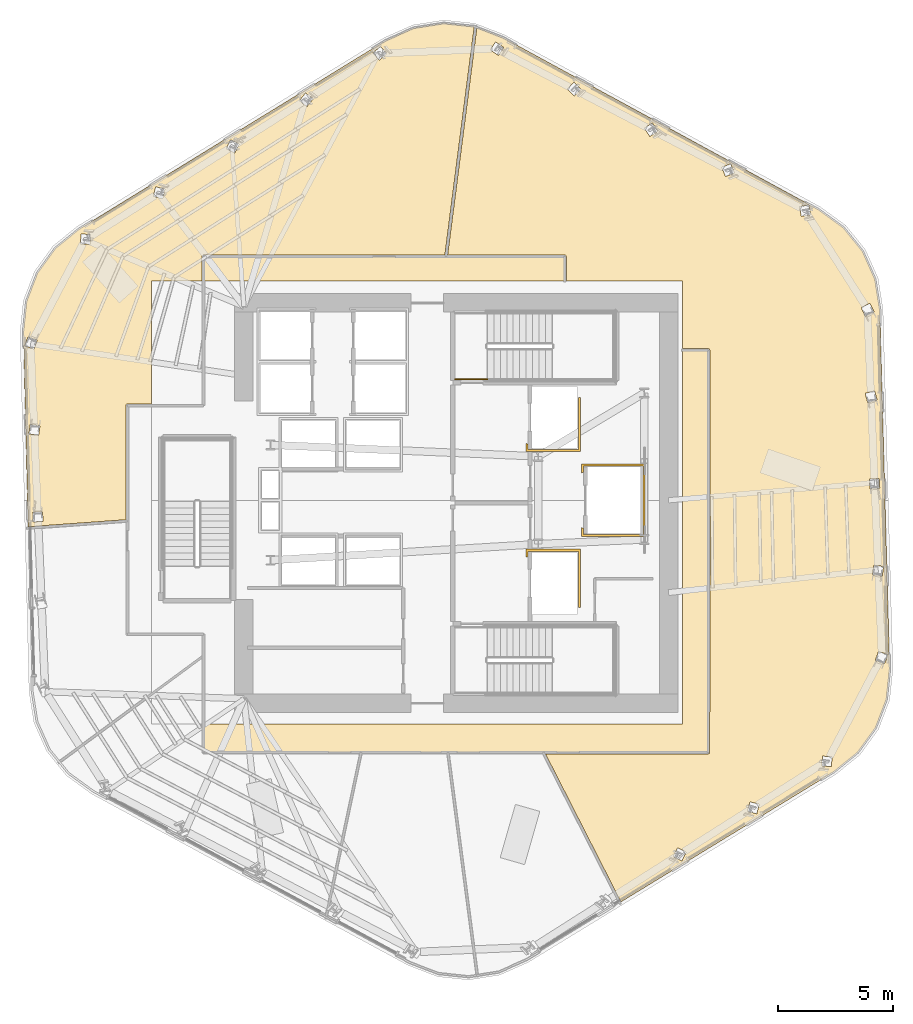
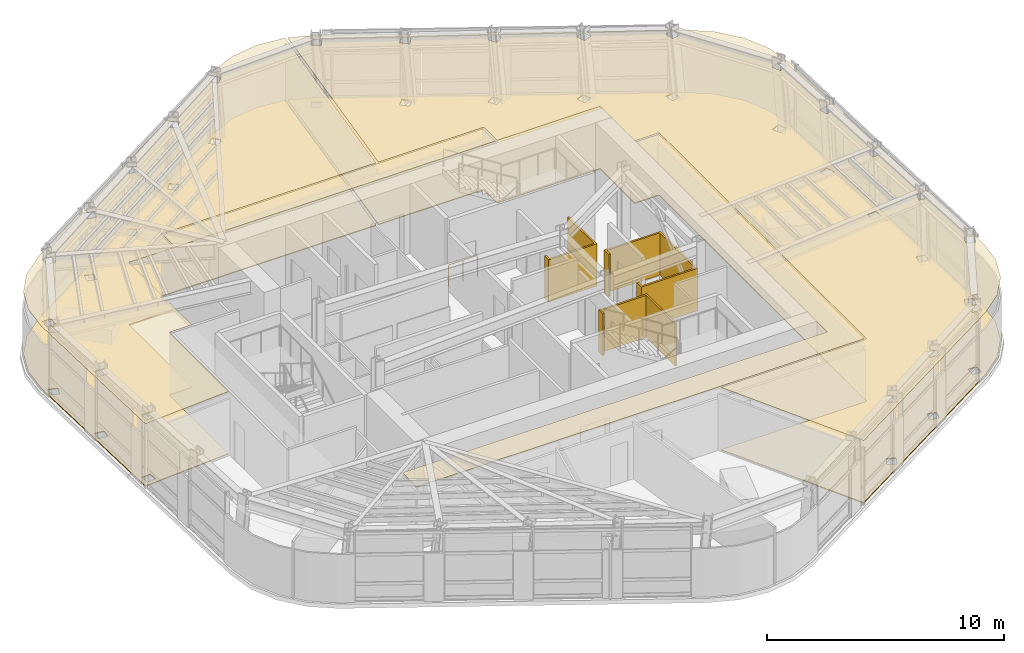
# One storey, part 12 of 15: 9 coverings, 1 railing.
"""IFC4 building model written with IfcOpenShell, lengths in metres."""

from ifc_helpers import new_model, si_unit, direction, frame, origin, origin_2d, place, context, subcontext, project, spatial, polyline, circle, outline, extrude, material, layer, layer_set, type_object, element, save


model = new_model("IFC4")

# Units and contexts
model_context = context("Model", 3, precision=1e-05, world=origin(), true_north=direction((0.0, 1.0)))
body_context = subcontext(model_context, "Body", "Model", "MODEL_VIEW")
ifc_project = project(units=[si_unit("LENGTHUNIT", "METRE"), si_unit("AREAUNIT", "SQUARE_METRE"), si_unit("VOLUMEUNIT", "CUBIC_METRE"), si_unit("PLANEANGLEUNIT", "RADIAN"), si_unit("MASSUNIT", "GRAM", prefix="KILO")], contexts=[model_context])

# Site, building, storey
site_placement = place(None, origin())
site = spatial("IfcSite", under=ifc_project, at=site_placement, CompositionType="ELEMENT")
building_placement = place(site_placement, origin())
building = spatial("IfcBuilding", under=site, at=building_placement, Name="Valkerne Bourse Tower", CompositionType="ELEMENT")
storey_placement = place(building_placement, frame((0.0, 0.0, 159.0)))
storey = spatial("IfcBuildingStorey", under=building, at=storey_placement, Name="L40", CompositionType="ELEMENT", Elevation=159.0)

# Coverings
ifc_material_1 = material(Name="Mineral Fiber Acoustic Ceiling Tile", Category="acoustic")
ifc_layer_1 = layer(ifc_material_1, 0.02490234375)
ifc_layer_set_1 = layer_set([ifc_layer_1], Name="Mineral Fiber Acoustic Ceiling Tile")
covering_type_1 = type_object("IfcCoveringType", Name="COV-CEIL-ACT", PredefinedType="CEILING", material=ifc_layer_set_1)
covering_1_placement = place(storey_placement, frame((0.0, 0.0, 3.22998046875)))
element("IfcCovering", 1, at=covering_1_placement, inside=storey, type_object=covering_type_1, Name="L40 Suspended Ceiling 08", PredefinedType="CEILING", context=body_context, shape_type="SweptSolid", body=[
    extrude(outline(polyline([(28.652099609375, 36.853515625), (29.427734375, 37.9208984375), (30.460693359375, 38.757568359375), (43.741455078125, 46.91943359375), (44.95556640625, 47.460205078125), (46.2587890625, 47.66650390625), (47.57958984375, 47.5244140625), (46.307373046875, 37.62890625), (35.849365234375, 37.62890625), (35.80419921875, 37.61181640625), (35.787353515625, 37.589111328125), (35.781005859375, 37.560302734375), (35.781005859375, 36.5), (33.60009765625, 36.5), (33.60009765625, 31.1689453125), (32.549560546875, 31.1689453125), (32.514892578125, 31.15966796875), (32.490966796875, 31.135986328125), (32.48095703125, 31.1005859375), (32.48095703125, 26.15673828125), (28.25048828125, 25.851806640625), (28.040283203125, 34.299560546875), (28.17919921875, 35.62158203125), (28.652099609375, 36.853515625)]), holes=[polyline([(28.8955078125, 26.08935546875), (28.87060546875, 26.501708984375), (28.447021484375, 26.476318359375), (28.447021484375, 26.4736328125), (28.471923828125, 26.061279296875), (28.895751953125, 26.086669921875), (28.8955078125, 26.08935546875)]), polyline([(28.702392578125, 29.81591796875), (28.76220703125, 30.224609375), (28.341796875, 30.285888671875), (28.34130859375, 30.283203125), (28.281982421875, 29.87451171875), (28.7021484375, 29.81298828125), (28.702392578125, 29.81591796875)]), polyline([(28.641357421875, 33.9443359375), (28.240234375, 34.08349609375), (28.2392578125, 34.080810546875), (28.10400390625, 33.690673828125), (28.505126953125, 33.551513671875), (28.506103515625, 33.55419921875), (28.641357421875, 33.9443359375)]), polyline([(30.9580078125, 38.511962890625), (30.545166015625, 38.541259765625), (30.54345703125, 38.538818359375), (30.5146484375, 38.1162109375), (30.927734375, 38.0869140625), (30.92919921875, 38.08935546875), (30.9580078125, 38.511962890625)]), polyline([(34.179931640625, 40.47998046875), (33.77978515625, 40.58642578125), (33.777587890625, 40.58447265625), (33.669921875, 40.1748046875), (34.0703125, 40.068359375), (34.072021484375, 40.0703125), (34.179931640625, 40.47998046875)]), polyline([(37.205078125, 42.05908203125), (37.39404296875, 42.438232421875), (37.02392578125, 42.623779296875), (37.021728515625, 42.622314453125), (36.832763671875, 42.2431640625), (37.202880859375, 42.0576171875), (37.205078125, 42.05908203125)]), polyline([(40.33447265625, 44.0595703125), (40.5966796875, 44.392333984375), (40.27197265625, 44.6494140625), (40.269287109375, 44.6484375), (40.00732421875, 44.315673828125), (40.33203125, 44.05859375), (40.33447265625, 44.0595703125)]), polyline([(43.787109375, 46.349609375), (43.5166015625, 46.6630859375), (43.513671875, 46.66259765625), (43.19384765625, 46.385009765625), (43.46435546875, 46.071533203125), (43.46728515625, 46.072021484375), (43.787109375, 46.349609375)])]), origin(), (0.0, 0.0, 1.0), 0.02490234375),
])
covering_2_placement = place(storey_placement, frame((0.0, 0.0, 3.22998046875)))
element("IfcCovering", 2, at=covering_2_placement, inside=storey, type_object=covering_type_1, Name="L40 Suspended Ceiling 09", PredefinedType="CEILING", context=body_context, shape_type="SweptSolid", body=[
    extrude(outline(polyline([(64.192626953125, 16.06787109375), (63.159912109375, 15.2314453125), (53.934814453125, 9.5947265625), (50.665283203125, 16.010986328125), (57.720703125, 16.010986328125), (57.7607421875, 16.024169921875), (57.784912109375, 16.056396484375), (57.7880859375, 33.510986328125), (57.76611328125, 33.5517578125), (57.723388671875, 33.56884765625), (56.60009765625, 33.569091796875), (56.60009765625, 36.5), (51.569091796875, 36.5), (51.56884765625, 37.5634765625), (51.551513671875, 37.606201171875), (51.510009765625, 37.62841796875), (46.42626953125, 37.62890625), (47.693115234375, 47.481689453125), (48.81201171875, 47.052490234375), (62.50146484375, 39.596435546875), (63.576904296875, 38.815185546875), (64.4072265625, 37.789794921875), (64.944091796875, 36.584228515625), (65.15185546875, 35.271484375), (65.580078125, 19.68896484375), (65.441162109375, 18.3671875), (64.968505859375, 17.135498046875), (64.192626953125, 16.06787109375)]), holes=[polyline([(51.9013671875, 45.110107421875), (51.898681640625, 45.11083984375), (51.607177734375, 44.816650390625), (51.9072265625, 44.517578125), (51.909912109375, 44.516845703125), (52.201416015625, 44.81103515625), (51.9013671875, 45.110107421875)]), polyline([(48.508056640625, 46.85888671875), (48.505126953125, 46.859130859375), (48.274169921875, 46.515380859375), (48.625, 46.2783203125), (48.627685546875, 46.27783203125), (48.85888671875, 46.62158203125), (48.508056640625, 46.85888671875)]), polyline([(56.578369140625, 11.377685546875), (56.76708984375, 11.7568359375), (56.39697265625, 11.9423828125), (56.394775390625, 11.94091796875), (56.205810546875, 11.561767578125), (56.575927734375, 11.376220703125), (56.578369140625, 11.377685546875)]), polyline([(59.822265625, 13.41552734375), (59.929931640625, 13.8251953125), (59.52978515625, 13.931640625), (59.52783203125, 13.9296875), (59.420166015625, 13.52001953125), (59.8203125, 13.41357421875), (59.822265625, 13.41552734375)]), polyline([(63.085205078125, 15.8837890625), (62.67236328125, 15.9130859375), (62.670654296875, 15.91064453125), (62.641845703125, 15.488037109375), (63.054931640625, 15.458740234375), (63.056396484375, 15.461181640625), (63.085205078125, 15.8837890625)]), polyline([(65.49609375, 20.309326171875), (65.094970703125, 20.448486328125), (65.093994140625, 20.44580078125), (64.95849609375, 20.0556640625), (65.35986328125, 19.91650390625), (65.36083984375, 19.919189453125), (65.49609375, 20.309326171875)]), polyline([(65.318115234375, 24.12548828125), (64.89794921875, 24.18701171875), (64.8974609375, 24.18408203125), (64.837890625, 23.775390625), (65.258056640625, 23.714111328125), (65.258544921875, 23.716796875), (65.318115234375, 24.12548828125)]), polyline([(65.153076171875, 27.523681640625), (65.153076171875, 27.5263671875), (65.128173828125, 27.938720703125), (64.704345703125, 27.913330078125), (64.704345703125, 27.91064453125), (64.729248046875, 27.498291015625), (65.153076171875, 27.523681640625)]), polyline([(65.038818359375, 31.34130859375), (65.0380859375, 31.343994140625), (64.9296875, 31.74267578125), (64.52001953125, 31.631591796875), (64.520751953125, 31.62890625), (64.62890625, 31.230224609375), (65.038818359375, 31.34130859375)]), polyline([(64.912109375, 35.16064453125), (64.910888671875, 35.1630859375), (64.729736328125, 35.534423828125), (64.34814453125, 35.34814453125), (64.349365234375, 35.345458984375), (64.530517578125, 34.974365234375), (64.912109375, 35.16064453125)]), polyline([(62.16162109375, 39.380126953125), (62.082275390625, 39.796142578125), (62.08056640625, 39.79833984375), (61.673828125, 39.719482421875), (61.75341796875, 39.303466796875), (61.755126953125, 39.30126953125), (62.16162109375, 39.380126953125)]), polyline([(58.6953125, 41.577392578125), (58.693115234375, 41.5791015625), (58.30859375, 41.42529296875), (58.46484375, 41.031494140625), (58.466796875, 41.02978515625), (58.851318359375, 41.18359375), (58.6953125, 41.577392578125)]), polyline([(55.532470703125, 42.99609375), (55.29931640625, 43.349853515625), (55.297119140625, 43.35107421875), (54.951904296875, 43.122314453125), (55.184814453125, 42.7685546875), (55.187255859375, 42.767333984375), (55.532470703125, 42.99609375)])]), origin(), (0.0, 0.0, 1.0), 0.02490234375),
])
ifc_material_2 = material(Name="Bronze Anodised Aluminium AA 6063-T6", Category="aluminium")
ifc_layer_2 = layer(ifc_material_2, 0.030029296875)
ifc_layer_set_2 = layer_set([ifc_layer_2], Name="Bronze Anodised Aluminium AA 6063-T6")
covering_type_2 = type_object("IfcCoveringType", Name="COV-CEIL-METAL", PredefinedType="CEILING", material=ifc_layer_set_2)
covering_3_placement = place(storey_placement, frame((0.0, 0.0, 3.22998046875)))
element("IfcCovering", 3, at=covering_3_placement, inside=storey, type_object=covering_type_2, Name="L40 Suspended Ceiling 01", PredefinedType="CEILING", context=body_context, shape_type="SweptSolid", body=[
    extrude(outline(polyline([(35.85400390625, 17.300048828125), (56.60009765625, 17.300048828125), (56.60009765625, 33.49609375), (57.716064453125, 33.49609375), (57.716064453125, 16.083984375), (35.85400390625, 16.083984375), (35.85400390625, 17.300048828125)])), origin(), (0.0, 0.0, 1.0), 0.02490234375),
])
covering_4_placement = place(storey_placement, frame((0.0, 0.0, 3.22998046875)))
element("IfcCovering", 4, at=covering_4_placement, inside=storey, type_object=covering_type_2, Name="L40 Suspended Ceiling 03", PredefinedType="CEILING", context=body_context, shape_type="SweptSolid", body=[
    extrude(outline(polyline([(35.85400390625, 37.555908203125), (51.49609375, 37.555908203125), (51.49609375, 36.5), (35.85400390625, 36.5), (35.85400390625, 37.555908203125)])), origin(), (0.0, 0.0, 1.0), 0.02490234375),
])
ifc_material_3 = material(Name="Galvanised Painted Steel", Category="steel")
ifc_layer_3 = layer(ifc_material_3, 0.044921875)
ifc_layer_set_3 = layer_set([ifc_layer_3], Name="Galvanised Painted Steel")
covering_type_3 = type_object("IfcCoveringType", Name="COV-FLR-RAF", PredefinedType="FLOORING", material=ifc_layer_set_3)
covering_5_placement = place(storey_placement, origin())
element("IfcCovering", 5, at=covering_5_placement, inside=storey, type_object=covering_type_3, Name="L40 Floor Finish 08", PredefinedType="FLOORING", context=body_context, shape_type="SweptSolid", body=[
    extrude(outline(polyline([(28.652099609375, 36.853515625), (29.427734375, 37.9208984375), (30.460693359375, 38.757568359375), (43.741455078125, 46.91943359375), (44.95556640625, 47.460205078125), (46.2587890625, 47.66650390625), (47.57958984375, 47.5244140625), (46.307373046875, 37.62890625), (35.849365234375, 37.62890625), (35.80419921875, 37.61181640625), (35.787353515625, 37.589111328125), (35.781005859375, 37.560302734375), (35.781005859375, 36.5), (33.60009765625, 36.5), (33.60009765625, 31.1689453125), (32.549560546875, 31.1689453125), (32.514892578125, 31.15966796875), (32.490966796875, 31.135986328125), (32.48095703125, 31.1005859375), (32.48095703125, 26.15673828125), (28.25048828125, 25.851806640625), (28.040283203125, 34.299560546875), (28.17919921875, 35.62158203125), (28.652099609375, 36.853515625)]), holes=[polyline([(28.8955078125, 26.08935546875), (28.87060546875, 26.501708984375), (28.447021484375, 26.476318359375), (28.447021484375, 26.4736328125), (28.471923828125, 26.061279296875), (28.895751953125, 26.086669921875), (28.8955078125, 26.08935546875)]), polyline([(28.702392578125, 29.81591796875), (28.76220703125, 30.224609375), (28.341796875, 30.285888671875), (28.34130859375, 30.283203125), (28.281982421875, 29.87451171875), (28.7021484375, 29.81298828125), (28.702392578125, 29.81591796875)]), polyline([(28.641357421875, 33.9443359375), (28.240234375, 34.08349609375), (28.2392578125, 34.080810546875), (28.10400390625, 33.690673828125), (28.505126953125, 33.551513671875), (28.506103515625, 33.55419921875), (28.641357421875, 33.9443359375)]), polyline([(30.9580078125, 38.511962890625), (30.545166015625, 38.541259765625), (30.54345703125, 38.538818359375), (30.5146484375, 38.1162109375), (30.927734375, 38.0869140625), (30.92919921875, 38.08935546875), (30.9580078125, 38.511962890625)]), polyline([(34.179931640625, 40.47998046875), (33.77978515625, 40.58642578125), (33.777587890625, 40.58447265625), (33.669921875, 40.1748046875), (34.0703125, 40.068359375), (34.072021484375, 40.0703125), (34.179931640625, 40.47998046875)]), polyline([(37.205078125, 42.05908203125), (37.39404296875, 42.438232421875), (37.02392578125, 42.623779296875), (37.021728515625, 42.622314453125), (36.832763671875, 42.2431640625), (37.202880859375, 42.0576171875), (37.205078125, 42.05908203125)]), polyline([(40.33447265625, 44.0595703125), (40.5966796875, 44.392333984375), (40.27197265625, 44.6494140625), (40.269287109375, 44.6484375), (40.00732421875, 44.315673828125), (40.33203125, 44.05859375), (40.33447265625, 44.0595703125)]), polyline([(43.787109375, 46.349609375), (43.5166015625, 46.6630859375), (43.513671875, 46.66259765625), (43.19384765625, 46.385009765625), (43.46435546875, 46.071533203125), (43.46728515625, 46.072021484375), (43.787109375, 46.349609375)])]), origin(), (0.0, 0.0, 1.0), 0.044921875),
])
covering_6_placement = place(storey_placement, origin())
element("IfcCovering", 6, at=covering_6_placement, inside=storey, type_object=covering_type_3, Name="L40 Floor Finish 09", PredefinedType="FLOORING", context=body_context, shape_type="SweptSolid", body=[
    extrude(outline(polyline([(64.192626953125, 16.06787109375), (63.159912109375, 15.2314453125), (53.934814453125, 9.5947265625), (50.665283203125, 16.010986328125), (57.720703125, 16.010986328125), (57.7607421875, 16.024169921875), (57.784912109375, 16.056396484375), (57.7880859375, 33.510986328125), (57.76611328125, 33.5517578125), (57.723388671875, 33.56884765625), (56.60009765625, 33.569091796875), (56.60009765625, 36.5), (51.569091796875, 36.5), (51.56884765625, 37.5634765625), (51.551513671875, 37.606201171875), (51.510009765625, 37.62841796875), (46.42626953125, 37.62890625), (47.693115234375, 47.481689453125), (48.81201171875, 47.052490234375), (62.50146484375, 39.596435546875), (63.576904296875, 38.815185546875), (64.4072265625, 37.789794921875), (64.944091796875, 36.584228515625), (65.15185546875, 35.271484375), (65.580078125, 19.68896484375), (65.441162109375, 18.3671875), (64.968505859375, 17.135498046875), (64.192626953125, 16.06787109375)]), holes=[polyline([(51.9013671875, 45.110107421875), (51.898681640625, 45.11083984375), (51.607177734375, 44.816650390625), (51.9072265625, 44.517578125), (51.909912109375, 44.516845703125), (52.201416015625, 44.81103515625), (51.9013671875, 45.110107421875)]), polyline([(48.508056640625, 46.85888671875), (48.505126953125, 46.859130859375), (48.274169921875, 46.515380859375), (48.625, 46.2783203125), (48.627685546875, 46.27783203125), (48.85888671875, 46.62158203125), (48.508056640625, 46.85888671875)]), polyline([(56.578369140625, 11.377685546875), (56.76708984375, 11.7568359375), (56.39697265625, 11.9423828125), (56.394775390625, 11.94091796875), (56.205810546875, 11.561767578125), (56.575927734375, 11.376220703125), (56.578369140625, 11.377685546875)]), polyline([(59.822265625, 13.41552734375), (59.929931640625, 13.8251953125), (59.52978515625, 13.931640625), (59.52783203125, 13.9296875), (59.420166015625, 13.52001953125), (59.8203125, 13.41357421875), (59.822265625, 13.41552734375)]), polyline([(63.085205078125, 15.8837890625), (62.67236328125, 15.9130859375), (62.670654296875, 15.91064453125), (62.641845703125, 15.488037109375), (63.054931640625, 15.458740234375), (63.056396484375, 15.461181640625), (63.085205078125, 15.8837890625)]), polyline([(65.49609375, 20.309326171875), (65.094970703125, 20.448486328125), (65.093994140625, 20.44580078125), (64.95849609375, 20.0556640625), (65.35986328125, 19.91650390625), (65.36083984375, 19.919189453125), (65.49609375, 20.309326171875)]), polyline([(65.318115234375, 24.12548828125), (64.89794921875, 24.18701171875), (64.8974609375, 24.18408203125), (64.837890625, 23.775390625), (65.258056640625, 23.714111328125), (65.258544921875, 23.716796875), (65.318115234375, 24.12548828125)]), polyline([(65.153076171875, 27.523681640625), (65.153076171875, 27.5263671875), (65.128173828125, 27.938720703125), (64.704345703125, 27.913330078125), (64.704345703125, 27.91064453125), (64.729248046875, 27.498291015625), (65.153076171875, 27.523681640625)]), polyline([(65.038818359375, 31.34130859375), (65.0380859375, 31.343994140625), (64.9296875, 31.74267578125), (64.52001953125, 31.631591796875), (64.520751953125, 31.62890625), (64.62890625, 31.230224609375), (65.038818359375, 31.34130859375)]), polyline([(64.912109375, 35.16064453125), (64.910888671875, 35.1630859375), (64.729736328125, 35.534423828125), (64.34814453125, 35.34814453125), (64.349365234375, 35.345458984375), (64.530517578125, 34.974365234375), (64.912109375, 35.16064453125)]), polyline([(62.16162109375, 39.380126953125), (62.082275390625, 39.796142578125), (62.08056640625, 39.79833984375), (61.673828125, 39.719482421875), (61.75341796875, 39.303466796875), (61.755126953125, 39.30126953125), (62.16162109375, 39.380126953125)]), polyline([(58.6953125, 41.577392578125), (58.693115234375, 41.5791015625), (58.30859375, 41.42529296875), (58.46484375, 41.031494140625), (58.466796875, 41.02978515625), (58.851318359375, 41.18359375), (58.6953125, 41.577392578125)]), polyline([(55.532470703125, 42.99609375), (55.29931640625, 43.349853515625), (55.297119140625, 43.35107421875), (54.951904296875, 43.122314453125), (55.184814453125, 42.7685546875), (55.187255859375, 42.767333984375), (55.532470703125, 42.99609375)])]), origin(), (0.0, 0.0, 1.0), 0.044921875),
])
ifc_material_4 = material(Name="Gypsum Shaftwall Liner Board", Category="gypsum")
ifc_layer_4 = layer(ifc_material_4, 0.080078125)
ifc_layer_set_4 = layer_set([ifc_layer_4], Name="Gypsum Shaftwall Liner Board")
covering_type_4 = type_object("IfcCoveringType", Name="COV-SHF-CLAD", PredefinedType="CLADDING", material=ifc_layer_set_4)
covering_7_placement = place(storey_placement, origin())
element("IfcCovering", 7, at=covering_7_placement, inside=storey, type_object=covering_type_4, Name="L40 Hoistway & Riser Shaftwall Liner 05", PredefinedType="CLADDING", context=body_context, shape_type="SweptSolid", body=[
    extrude(outline(polyline([(52.179931640625, 22.35009765625), (52.090087890625, 22.35009765625), (52.090087890625, 24.7900390625), (49.909912109375, 24.7900390625), (49.909912109375, 24.560791015625), (49.869384765625, 24.550537109375), (49.827880859375, 24.53564453125), (49.820068359375, 24.531982421875), (49.820068359375, 24.8798828125), (52.179931640625, 24.8798828125), (52.179931640625, 22.35009765625)])), origin(), (0.0, 0.0, 1.0), 2.179931640625),
])
covering_8_placement = place(storey_placement, origin())
element("IfcCovering", 8, at=covering_8_placement, inside=storey, type_object=covering_type_4, Name="L40 Hoistway & Riser Shaftwall Liner 06", PredefinedType="CLADDING", context=body_context, shape_type="SweptSolid", body=[
    extrude(outline(polyline([(54.97998046875, 25.419921875), (52.219970703125, 25.419921875), (52.219970703125, 25.81787109375), (52.227783203125, 25.814208984375), (52.269287109375, 25.79931640625), (52.31005859375, 25.789306640625), (52.31005859375, 25.510009765625), (54.889892578125, 25.510009765625), (54.889892578125, 28.489990234375), (52.31005859375, 28.489990234375), (52.31005859375, 28.210693359375), (52.269287109375, 28.20068359375), (52.227783203125, 28.185791015625), (52.219970703125, 28.18212890625), (52.219970703125, 28.580078125), (54.97998046875, 28.580078125), (54.97998046875, 25.419921875)])), origin(), (0.0, 0.0, 1.0), 2.179931640625),
])
covering_9_placement = place(storey_placement, origin())
element("IfcCovering", 9, at=covering_9_placement, inside=storey, type_object=covering_type_4, Name="L40 Hoistway & Riser Shaftwall Liner 08", PredefinedType="CLADDING", context=body_context, shape_type="SweptSolid", body=[
    extrude(outline(polyline([(49.820068359375, 29.1201171875), (49.820068359375, 29.468017578125), (49.827880859375, 29.46435546875), (49.869384765625, 29.449462890625), (49.909912109375, 29.439208984375), (49.909912109375, 29.2099609375), (52.090087890625, 29.2099609375), (52.090087890625, 31.449951171875), (52.179931640625, 31.449951171875), (52.179931640625, 29.1201171875), (49.820068359375, 29.1201171875)])), origin(), (0.0, 0.0, 1.0), 2.179931640625),
])

# Railing
railing_type = type_object("IfcRailingType", Name="RLG-ST-GUARD-1120", PredefinedType="GUARDRAIL", material=ifc_material_3)
railing_placement = place(storey_placement, frame((46.75, 32.25, 0.0)))
element("IfcRailing", 10, at=railing_placement, inside=storey, type_object=railing_type, Name="L40 ST-2 stair guard 8", PredefinedType="GUARDRAIL", context=body_context, shape_type="SweptSolid", body=[
    extrude(circle(Radius=0.02392578125, at=origin_2d()), frame((0.0, 0.0, 1.09619140625), z_axis=(1.0, 0.0, 0.0), x_axis=(0.0, 1.0, 0.0)), (0.0, 0.0, 1.0), 1.39990234375),
    extrude(circle(Radius=0.02099609375, at=origin_2d()), origin(), (0.0, 0.0, 1.0), 1.072021484375),
    extrude(circle(Radius=0.02099609375, at=origin_2d()), frame((0.699951171875, 0.0, 0.0)), (0.0, 0.0, 1.0), 1.072021484375),
    extrude(circle(Radius=0.02099609375, at=origin_2d()), frame((1.39990234375, 0.0, 0.0)), (0.0, 0.0, 1.0), 1.072021484375),
])

save(model, "model.ifc")
